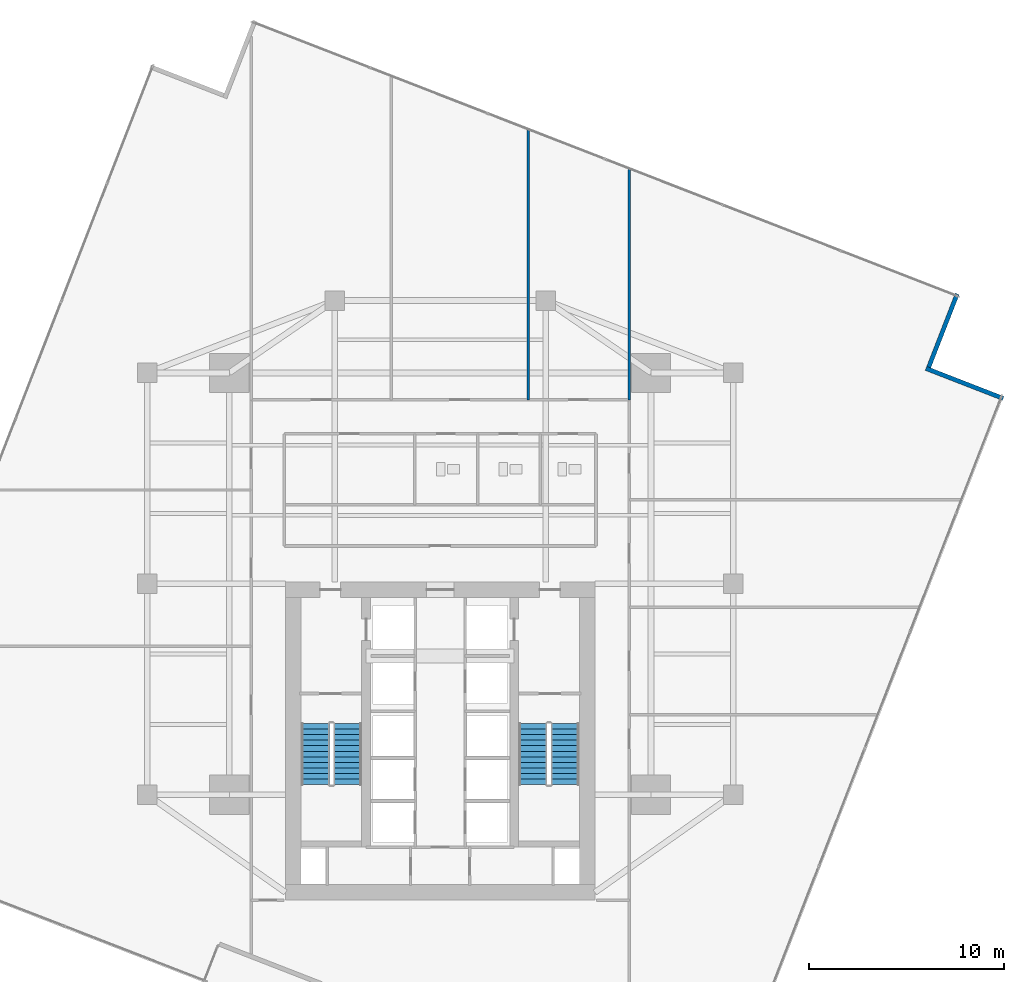
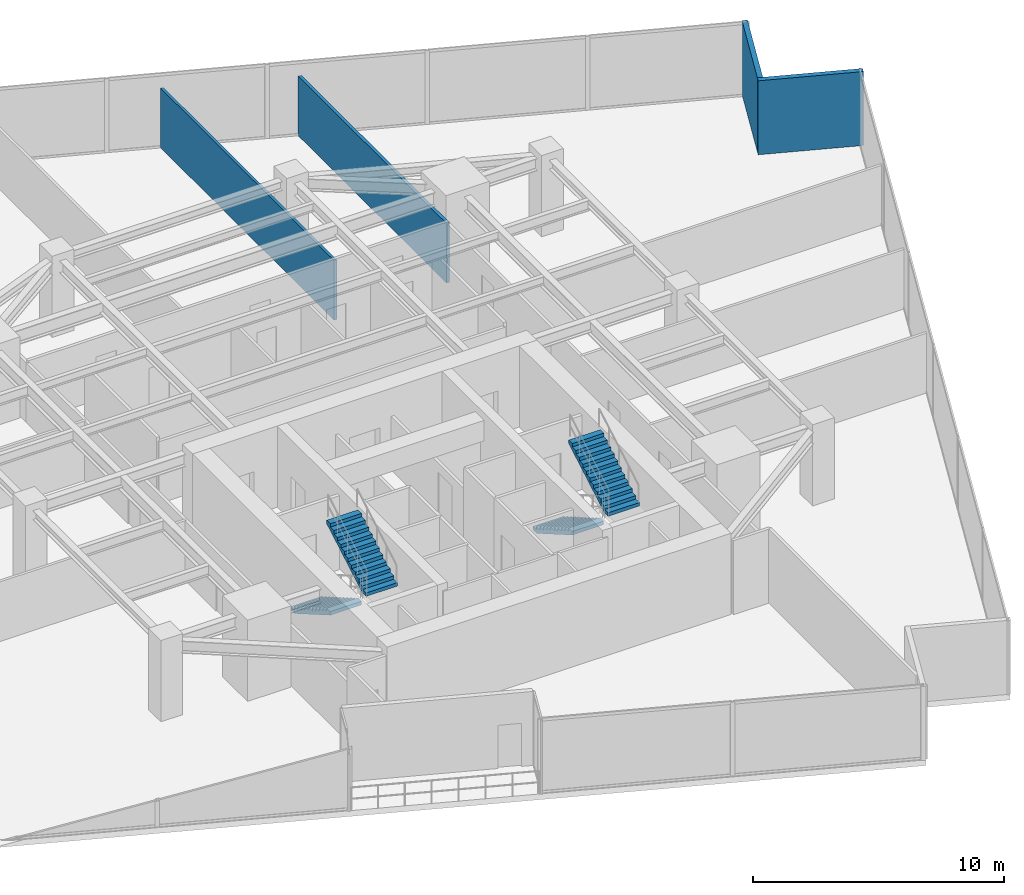
# One storey, part 24 of 26: 4 stair flights, 4 walls, 2 elements without a shape of their own.
"""IFC4 building model written with IfcOpenShell, lengths in metres."""

from ifc_helpers import new_model, si_unit, direction, frame, frame_2d, origin, place, context, subcontext, project, spatial, polyline, rectangle, outline, extrude, material, layer, layer_set, type_object, element, aggregate, save


model = new_model("IFC4")

# Units and contexts
model_context = context("Model", 3, precision=1e-05, world=origin(), true_north=direction((0.0, 1.0)))
body_context = subcontext(model_context, "Body", "Model", "MODEL_VIEW")
ifc_project = project(units=[si_unit("LENGTHUNIT", "METRE"), si_unit("AREAUNIT", "SQUARE_METRE"), si_unit("VOLUMEUNIT", "CUBIC_METRE"), si_unit("PLANEANGLEUNIT", "RADIAN"), si_unit("MASSUNIT", "GRAM", prefix="KILO")], contexts=[model_context])

# Site, building, storey
site_placement = place(None, origin())
site = spatial("IfcSite", under=ifc_project, at=site_placement, CompositionType="ELEMENT")
building_placement = place(site_placement, origin())
building = spatial("IfcBuilding", under=site, at=building_placement, Name="Krantzveldt Concourse Tower", CompositionType="ELEMENT")
storey_placement = place(building_placement, frame((0.0, 0.0, 137.449951171875)))
storey = spatial("IfcBuildingStorey", under=building, at=storey_placement, Name="L33", CompositionType="ELEMENT", Elevation=137.449951171875)

# Walls
ifc_material_1 = material(Name="Anodised aluminium 6063-T6", Category="aluminium")
ifc_layer_1 = layer(ifc_material_1, 0.219970703125, Name="Anodised aluminium 6063-T6", Category="aluminium")
ifc_layer_set_1 = layer_set([ifc_layer_1], Name="Anodised aluminium 6063-T6 (WL-EXT-NOTCH220)")
wall_type_1 = type_object("IfcWallType", Name="WL-EXT-NOTCH220", PredefinedType="ELEMENTEDWALL", material=ifc_layer_set_1)
wall_1_placement = place(storey_placement, frame((64.82373046875, 36.188232421875, 0.0), z_axis=(0.0, 0.0, 1.0), x_axis=(-0.932003592198, 0.362449036596, 0.0)))
element("IfcWall", 1, at=wall_1_placement, inside=storey, type_object=wall_type_1, Name="EW-L33-NCH12", PredefinedType="ELEMENTEDWALL", context=body_context, shape_type="SweptSolid", body=[
    extrude(rectangle(XDim=4.244873046875, YDim=0.219970703125, at=frame_2d((2.12255859375, 0.0))), origin(), (0.0, 0.0, 1.0), 3.60009765625),
])
wall_2_placement = place(storey_placement, frame((61.009765625, 37.78955078125, 0.0), z_axis=(0.0, 0.0, 1.0), x_axis=(0.362431625129, 0.932010363197, 0.0)))
element("IfcWall", 2, at=wall_2_placement, inside=storey, type_object=wall_type_1, Name="EW-L33-NCH13", PredefinedType="ELEMENTEDWALL", context=body_context, shape_type="SweptSolid", body=[
    extrude(rectangle(XDim=4.02490234375, YDim=0.219970703125, at=frame_2d((2.012451171875, 0.0))), origin(), (0.0, 0.0, 1.0), 3.60009765625),
])
ifc_material_2 = material(Name="Fire-rated gypsum plasterboard on steel stud", Category="steel")
ifc_layer_2 = layer(ifc_material_2, 0.1201171875, Name="Fire-rated gypsum plasterboard on steel stud", Category="steel")
ifc_layer_set_2 = layer_set([ifc_layer_2], Name="Fire-rated gypsum plasterboard on steel stud (WL-PART-120)")
wall_type_2 = type_object("IfcWallType", Name="WL-PART-120", PredefinedType="PARTITIONING", material=ifc_layer_set_2)
wall_3_placement = place(storey_placement, frame((40.5, 36.1201171875, 0.0), z_axis=(0.0, 0.0, 1.0), x_axis=(0.0, 1.0, 0.0)))
element("IfcWall", 3, at=wall_3_placement, inside=storey, type_object=wall_type_2, Name="WP-L33-ND2", PredefinedType="PARTITIONING", context=body_context, shape_type="SweptSolid", body=[
    extrude(rectangle(XDim=13.840576171875, YDim=0.1201171875, at=frame_2d((6.92041015625, 0.0))), origin(), (0.0, 0.0, 1.0), 2.900146484375),
])
ifc_layer_3 = layer(ifc_material_2, 0.139892578125, Name="Fire-rated gypsum plasterboard on steel stud", Category="steel")
ifc_layer_set_3 = layer_set([ifc_layer_3], Name="Fire-rated gypsum plasterboard on steel stud (WL-PART-140)")
wall_type_3 = type_object("IfcWallType", Name="WL-PART-140", PredefinedType="PARTITIONING", material=ifc_layer_set_3)
wall_4_placement = place(storey_placement, frame((45.679931640625, 36.1201171875, 0.0), z_axis=(0.0, 0.0, 1.0), x_axis=(0.0, 1.0, 0.0)))
element("IfcWall", 4, at=wall_4_placement, inside=storey, type_object=wall_type_3, Name="WP-L33-NER", PredefinedType="PARTITIONING", context=body_context, shape_type="SweptSolid", body=[
    extrude(rectangle(XDim=11.826171875, YDim=0.139892578125, at=frame_2d((5.9130859375, 0.0))), origin(), (0.0, 0.0, 1.0), 2.900146484375),
])

# Stair, stair flights
ifc_material_3 = material(Name="Precast concrete C40/50", Category="concrete")
stair_type = type_object("IfcStairType", Name="STR-CORE-DOGLEG", PredefinedType="HALF_TURN_STAIR", material=ifc_material_3)
stair_1_placement = place(storey_placement, origin())
stair_1 = element("IfcStair", 5, at=stair_1_placement, inside=storey, type_object=stair_type, Name="L33 Protected Escape Stair ST-1", PredefinedType="HALF_TURN_STAIR")
stair_flight_type = type_object("IfcStairFlightType", Name="STF-CORE-1450", PredefinedType="STRAIGHT", material=ifc_material_3)
stair_flight_1_placement = place(storey_placement, frame((29.60498046875, 19.550048828125, 0.0), z_axis=(0.0, 0.0, 1.0), x_axis=(0.0, -1.0, 0.0)))
stair_flight_1 = element("IfcStairFlight", 6, at=stair_flight_1_placement, type_object=stair_flight_type, Name="ST-1 flight 1", NumberOfRisers=12, NumberOfTreads=11, PredefinedType="STRAIGHT", RiserHeight=0.164583333, TreadLength=0.285, context=body_context, shape_type="SweptSolid", body=[
    extrude(outline(polyline([(0.0, 0.0), (0.0, 0.16455078125), (0.284912109375, 0.16455078125), (0.284912109375, 0.3291015625), (0.570068359375, 0.3291015625), (0.570068359375, 0.49365234375), (0.85498046875, 0.49365234375), (0.85498046875, 0.658447265625), (1.139892578125, 0.658447265625), (1.139892578125, 0.822998046875), (1.425048828125, 0.822998046875), (1.425048828125, 0.987548828125), (1.7099609375, 0.987548828125), (1.7099609375, 1.152099609375), (1.9951171875, 1.152099609375), (1.9951171875, 1.316650390625), (2.280029296875, 1.316650390625), (2.280029296875, 1.481201171875), (2.56494140625, 1.481201171875), (2.56494140625, 1.645751953125), (2.85009765625, 1.645751953125), (2.85009765625, 1.810302734375), (3.135009765625, 1.810302734375), (3.135009765625, 1.97509765625), (3.135009765625, 1.63720703125), (0.2998046875, 0.0), (0.0, 0.0)])), frame((0.0, 0.72509765625, 0.0), z_axis=(0.0, -1.0, 0.0), x_axis=(1.0, 0.0, 0.0)), (0.0, 0.0, 1.0), 1.449951171875),
])
stair_flight_2_placement = place(storey_placement, frame((31.2548828125, 16.4150390625, 1.97509765625), z_axis=(0.0, 0.0, 1.0), x_axis=(0.0, 1.0, 0.0)))
stair_flight_2 = element("IfcStairFlight", 7, at=stair_flight_2_placement, type_object=stair_flight_type, Name="ST-1 flight 2", NumberOfRisers=12, NumberOfTreads=11, PredefinedType="STRAIGHT", RiserHeight=0.164583333, TreadLength=0.285, context=body_context, shape_type="SweptSolid", body=[
    extrude(outline(polyline([(0.0, 0.0), (0.0, 0.16455078125), (0.284912109375, 0.16455078125), (0.284912109375, 0.3291015625), (0.570068359375, 0.3291015625), (0.570068359375, 0.49365234375), (0.85498046875, 0.49365234375), (0.85498046875, 0.658447265625), (1.139892578125, 0.658447265625), (1.139892578125, 0.822998046875), (1.425048828125, 0.822998046875), (1.425048828125, 0.987548828125), (1.7099609375, 0.987548828125), (1.7099609375, 1.152099609375), (1.9951171875, 1.152099609375), (1.9951171875, 1.316650390625), (2.280029296875, 1.316650390625), (2.280029296875, 1.481201171875), (2.56494140625, 1.481201171875), (2.56494140625, 1.645751953125), (2.85009765625, 1.645751953125), (2.85009765625, 1.810302734375), (3.135009765625, 1.810302734375), (3.135009765625, 1.97509765625), (3.135009765625, 1.63720703125), (0.2998046875, 0.0), (0.0, 0.0)])), frame((0.0, 0.72509765625, 0.0), z_axis=(0.0, -1.0, 0.0), x_axis=(1.0, 0.0, 0.0)), (0.0, 0.0, 1.0), 1.449951171875),
])
aggregate(stair_1, [stair_flight_1, stair_flight_2])

stair_2_placement = place(storey_placement, origin())
stair_2 = element("IfcStair", 8, at=stair_2_placement, inside=storey, type_object=stair_type, Name="L33 Protected Escape Stair ST-2", PredefinedType="HALF_TURN_STAIR")
stair_flight_3_placement = place(storey_placement, frame((40.7451171875, 19.550048828125, 0.0), z_axis=(0.0, 0.0, 1.0), x_axis=(0.0, -1.0, 0.0)))
stair_flight_3 = element("IfcStairFlight", 9, at=stair_flight_3_placement, type_object=stair_flight_type, Name="ST-2 flight 1", NumberOfRisers=12, NumberOfTreads=11, PredefinedType="STRAIGHT", RiserHeight=0.164583333, TreadLength=0.285, context=body_context, shape_type="SweptSolid", body=[
    extrude(outline(polyline([(0.0, 0.0), (0.0, 0.16455078125), (0.284912109375, 0.16455078125), (0.284912109375, 0.3291015625), (0.570068359375, 0.3291015625), (0.570068359375, 0.49365234375), (0.85498046875, 0.49365234375), (0.85498046875, 0.658447265625), (1.139892578125, 0.658447265625), (1.139892578125, 0.822998046875), (1.425048828125, 0.822998046875), (1.425048828125, 0.987548828125), (1.7099609375, 0.987548828125), (1.7099609375, 1.152099609375), (1.9951171875, 1.152099609375), (1.9951171875, 1.316650390625), (2.280029296875, 1.316650390625), (2.280029296875, 1.481201171875), (2.56494140625, 1.481201171875), (2.56494140625, 1.645751953125), (2.85009765625, 1.645751953125), (2.85009765625, 1.810302734375), (3.135009765625, 1.810302734375), (3.135009765625, 1.97509765625), (3.135009765625, 1.63720703125), (0.2998046875, 0.0), (0.0, 0.0)])), frame((0.0, 0.72509765625, 0.0), z_axis=(0.0, -1.0, 0.0), x_axis=(1.0, 0.0, 0.0)), (0.0, 0.0, 1.0), 1.449951171875),
])
stair_flight_4_placement = place(storey_placement, frame((42.39501953125, 16.4150390625, 1.97509765625), z_axis=(0.0, 0.0, 1.0), x_axis=(0.0, 1.0, 0.0)))
stair_flight_4 = element("IfcStairFlight", 10, at=stair_flight_4_placement, type_object=stair_flight_type, Name="ST-2 flight 2", NumberOfRisers=12, NumberOfTreads=11, PredefinedType="STRAIGHT", RiserHeight=0.164583333, TreadLength=0.285, context=body_context, shape_type="SweptSolid", body=[
    extrude(outline(polyline([(0.0, 0.0), (0.0, 0.16455078125), (0.284912109375, 0.16455078125), (0.284912109375, 0.3291015625), (0.570068359375, 0.3291015625), (0.570068359375, 0.49365234375), (0.85498046875, 0.49365234375), (0.85498046875, 0.658447265625), (1.139892578125, 0.658447265625), (1.139892578125, 0.822998046875), (1.425048828125, 0.822998046875), (1.425048828125, 0.987548828125), (1.7099609375, 0.987548828125), (1.7099609375, 1.152099609375), (1.9951171875, 1.152099609375), (1.9951171875, 1.316650390625), (2.280029296875, 1.316650390625), (2.280029296875, 1.481201171875), (2.56494140625, 1.481201171875), (2.56494140625, 1.645751953125), (2.85009765625, 1.645751953125), (2.85009765625, 1.810302734375), (3.135009765625, 1.810302734375), (3.135009765625, 1.97509765625), (3.135009765625, 1.63720703125), (0.2998046875, 0.0), (0.0, 0.0)])), frame((0.0, 0.72509765625, 0.0), z_axis=(0.0, -1.0, 0.0), x_axis=(1.0, 0.0, 0.0)), (0.0, 0.0, 1.0), 1.449951171875),
])
aggregate(stair_2, [stair_flight_3, stair_flight_4])

save(model, "model.ifc")
